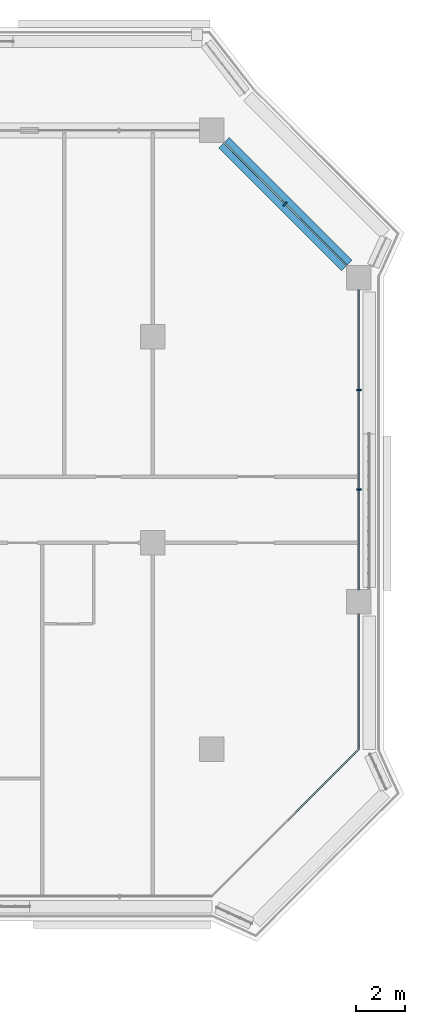
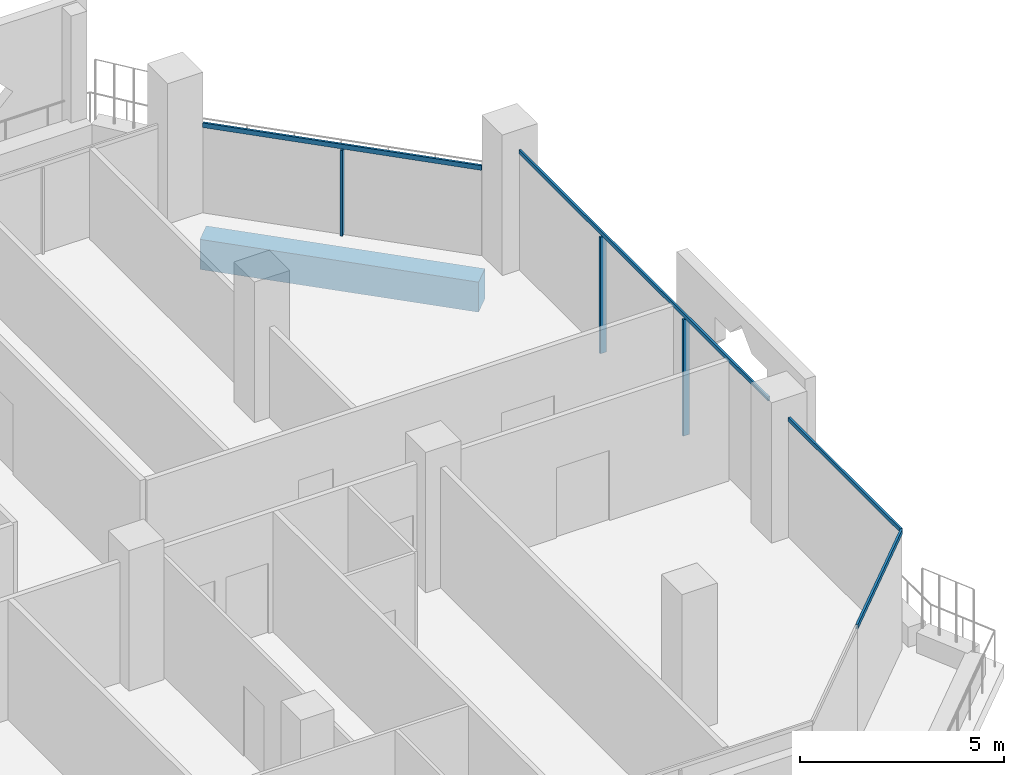
# One storey, part 7 of 22: 7 members, 1 beam, 3 elements without a shape of their own.
"""IFC4 building model written with IfcOpenShell, lengths in metres."""

from ifc_helpers import new_model, si_unit, direction, frame, origin, origin_2d, place, context, subcontext, project, spatial, rectangle, extrude, material, layer, layer_set, material_profile, profile_set, type_object, element, aggregate, save


model = new_model("IFC4")

# Units and contexts
model_context = context("Model", 3, precision=1e-05, world=origin(), true_north=direction((0.0, 1.0)))
body_context = subcontext(model_context, "Body", "Model", "MODEL_VIEW")
ifc_project = project(units=[si_unit("LENGTHUNIT", "METRE"), si_unit("AREAUNIT", "SQUARE_METRE"), si_unit("VOLUMEUNIT", "CUBIC_METRE"), si_unit("PLANEANGLEUNIT", "RADIAN"), si_unit("MASSUNIT", "GRAM", prefix="KILO")], contexts=[model_context])

# Site, building, storey
site_placement = place(None, origin())
site = spatial("IfcSite", under=ifc_project, at=site_placement, CompositionType="ELEMENT")
building_placement = place(site_placement, origin())
building = spatial("IfcBuilding", under=site, at=building_placement, Name="Kawkab Arch Medical Tower", CompositionType="ELEMENT")
storey_placement = place(building_placement, frame((0.0, 0.0, 204.60009765625)))
storey = spatial("IfcBuildingStorey", under=building, at=storey_placement, Name="L47", CompositionType="ELEMENT", Elevation=204.60009765625)

# Curtain wall, members
ifc_material_1 = material(Name="Bronze anodised aluminium curtain wall frame", Category="aluminium")
ifc_layer_1 = layer(ifc_material_1, 0.159912109375)
ifc_layer_set_1 = layer_set([ifc_layer_1], Name="Bronze anodised aluminium curtain wall frame")
curtain_wall_type_1 = type_object("IfcCurtainWallType", Name="CW1 ward curtain wall", PredefinedType="NOTDEFINED", material=ifc_layer_set_1)
placement = place(storey_placement, origin())
curtain_wall_1 = element("IfcCurtainWall", 1, at=placement, inside=storey, type_object=curtain_wall_type_1, Name="CW1 Ward curtain wall R09", PredefinedType="NOTDEFINED")
ifc_material_2 = material(Name="Bronze anodised aluminium curtain wall frame", Category="aluminium")
ifc_material_profile_1 = material_profile(ifc_material_2, rectangle(XDim=0.179931640625, YDim=0.06005859375, at=origin_2d()), Name="AL 60x180")
ifc_profile_set_1 = profile_set([ifc_material_profile_1], Name="Bronze anodised aluminium curtain wall frame")
member_type_1 = type_object("IfcMemberType", Name="CW1 mullion 60 x 180", PredefinedType="MULLION", material=ifc_profile_set_1)
member_1_placement = place(storey_placement, frame((67.199951171875, -14.63330078125, 0.0), z_axis=(0.0, 0.0, 1.0), x_axis=(-1.0, 0.0, 0.0)))
member_1 = element("IfcMember", 2, at=member_1_placement, type_object=member_type_1, Name="CW1 mullion 2.1", PredefinedType="MULLION", context=body_context, shape_type="SweptSolid", body=[
    extrude(rectangle(XDim=0.179931640625, YDim=0.06005859375, at=origin_2d()), origin(), (0.0, 0.0, 1.0), 3.47998046875),
])
member_2_placement = place(storey_placement, frame((67.199951171875, -10.566650390625, 0.0), z_axis=(0.0, 0.0, 1.0), x_axis=(-1.0, 0.0, 0.0)))
member_2 = element("IfcMember", 3, at=member_2_placement, type_object=member_type_1, Name="CW1 mullion 2.2", PredefinedType="MULLION", context=body_context, shape_type="SweptSolid", body=[
    extrude(rectangle(XDim=0.179931640625, YDim=0.06005859375, at=origin_2d()), origin(), (0.0, 0.0, 1.0), 3.47998046875),
])
ifc_material_3 = material(Name="Bronze anodised aluminium curtain wall frame", Category="aluminium")
ifc_material_profile_2 = material_profile(ifc_material_3, rectangle(XDim=0.06005859375, YDim=0.1201171875, at=origin_2d()), Name="AL 60x120")
ifc_profile_set_2 = profile_set([ifc_material_profile_2], Name="Bronze anodised aluminium curtain wall frame")
member_type_2 = type_object("IfcMemberType", Name="CW1 transom 120 x 60", PredefinedType="USERDEFINED", material=ifc_profile_set_2)
member_3_placement = place(storey_placement, frame((67.199951171875, -25.199951171875, 3.539794921875), z_axis=(0.0, 1.0, 0.0), x_axis=(-1.0, 0.0, 0.0)))
member_3 = element("IfcMember", 4, at=member_3_placement, type_object=member_type_2, Name="CW1 transom 1", ObjectType="TRANSOM", PredefinedType="USERDEFINED", context=body_context, shape_type="SweptSolid", body=[
    extrude(rectangle(XDim=0.06005859375, YDim=0.1201171875, at=origin_2d()), origin(), (0.0, 0.0, 1.0), 5.5),
])
member_4_placement = place(storey_placement, frame((67.199951171875, -18.699951171875, 3.539794921875), z_axis=(0.0, 1.0, 0.0), x_axis=(-1.0, 0.0, 0.0)))
member_4 = element("IfcMember", 5, at=member_4_placement, type_object=member_type_2, Name="CW1 transom 2", ObjectType="TRANSOM", PredefinedType="USERDEFINED", context=body_context, shape_type="SweptSolid", body=[
    extrude(rectangle(XDim=0.06005859375, YDim=0.1201171875, at=origin_2d()), origin(), (0.0, 0.0, 1.0), 12.199951171875),
])
aggregate(curtain_wall_1, [member_3, member_4, member_1, member_2])

# Curtain wall, member
ifc_material_4 = material(Name="Bronze anodised aluminium curtain wall frame", Category="aluminium")
ifc_layer_2 = layer(ifc_material_4, 0.159912109375)
ifc_layer_set_2 = layer_set([ifc_layer_2], Name="Bronze anodised aluminium curtain wall frame")
curtain_wall_type_2 = type_object("IfcCurtainWallType", Name="CW2 chamfer curtain wall", PredefinedType="NOTDEFINED", material=ifc_layer_set_2)
curtain_wall_2 = element("IfcCurtainWall", 6, at=placement, inside=storey, type_object=curtain_wall_type_2, Name="CW2 Chamfer curtain wall R10", PredefinedType="NOTDEFINED")
ifc_material_5 = material(Name="Bronze anodised aluminium curtain wall frame", Category="aluminium")
ifc_material_profile_3 = material_profile(ifc_material_5, rectangle(XDim=0.199951171875, YDim=0.06005859375, at=origin_2d()), Name="AL 60x200")
ifc_profile_set_3 = profile_set([ifc_material_profile_3], Name="Bronze anodised aluminium curtain wall frame")
member_type_3 = type_object("IfcMemberType", Name="CW2 mullion 60 x 200", PredefinedType="MULLION", material=ifc_profile_set_3)
member_5_placement = place(storey_placement, frame((64.199951171875, -3.0, 0.0), z_axis=(0.0, 0.0, 1.0), x_axis=(-0.707106781187, -0.707106781187, 0.0)))
member_5 = element("IfcMember", 7, at=member_5_placement, type_object=member_type_3, Name="CW2 mullion 1.1", PredefinedType="MULLION", context=body_context, shape_type="SweptSolid", body=[
    extrude(rectangle(XDim=0.199951171875, YDim=0.06005859375, at=origin_2d()), origin(), (0.0, 0.0, 1.0), 2.559814453125),
])

curtain_wall_3 = element("IfcCurtainWall", 8, at=placement, inside=storey, type_object=curtain_wall_type_2, Name="CW2 Chamfer curtain wall R08", PredefinedType="NOTDEFINED")
ifc_material_6 = material(Name="Bronze anodised aluminium curtain wall frame", Category="aluminium")
ifc_material_profile_4 = material_profile(ifc_material_6, rectangle(XDim=0.06005859375, YDim=0.139892578125, at=origin_2d()), Name="AL 60x140")
ifc_profile_set_4 = profile_set([ifc_material_profile_4], Name="Bronze anodised aluminium curtain wall frame")
member_type_4 = type_object("IfcMemberType", Name="CW2 transom 140 x 60", PredefinedType="USERDEFINED", material=ifc_profile_set_4)
member_6_placement = place(storey_placement, frame((64.199951171875, -28.199951171875, 3.52978515625), z_axis=(0.707106781187, 0.707106781187, 0.0), x_axis=(-0.707106781187, 0.707106781187, 0.0)))
member_6 = element("IfcMember", 9, at=member_6_placement, type_object=member_type_4, Name="CW2 transom 2", ObjectType="TRANSOM", PredefinedType="USERDEFINED", context=body_context, shape_type="SweptSolid", body=[
    extrude(rectangle(XDim=0.06005859375, YDim=0.139892578125, at=origin_2d()), origin(), (0.0, 0.0, 1.0), 4.24267578125),
])
aggregate(curtain_wall_3, [member_6])

# Member
member_7_placement = place(storey_placement, frame((66.699951171875, -5.5, 2.6298828125), z_axis=(-0.707106781187, 0.707106781187, 0.0), x_axis=(-0.707106781187, -0.707106781187, 0.0)))
member_7 = element("IfcMember", 10, at=member_7_placement, type_object=member_type_4, Name="CW2 transom 1", ObjectType="TRANSOM", PredefinedType="USERDEFINED", context=body_context, shape_type="SweptSolid", body=[
    extrude(rectangle(XDim=0.06005859375, YDim=0.139892578125, at=origin_2d()), origin(), (0.0, 0.0, 1.0), 7.071044921875),
])

aggregate(curtain_wall_2, [member_7, member_5])

# Beam
ifc_material_7 = material(Name="Concrete C50/60", Category="concrete")
ifc_material_profile_5 = material_profile(ifc_material_7, rectangle(XDim=0.60009765625, YDim=0.89990234375, at=origin_2d()), Name="RC 600x900")
ifc_profile_set_5 = profile_set([ifc_material_profile_5], Name="Concrete C50/60")
beam_type = type_object("IfcBeamType", Name="RC 600x900 beam C50/60", PredefinedType="BEAM", material=ifc_profile_set_5)
beam_placement = place(storey_placement, frame((61.699951171875, -0.5, -1.050048828125), z_axis=(0.707106781187, -0.707106781187, 0.0), x_axis=(0.707106781187, 0.707106781187, 0.0)))
element("IfcBeam", 11, at=beam_placement, inside=storey, type_object=beam_type, Name="Overhang edge beam L47-08", PredefinedType="BEAM", context=body_context, shape_type="SweptSolid", body=[
    extrude(rectangle(XDim=0.60009765625, YDim=0.89990234375, at=origin_2d()), origin(), (0.0, 0.0, 1.0), 7.071044921875),
])

save(model, "model.ifc")
